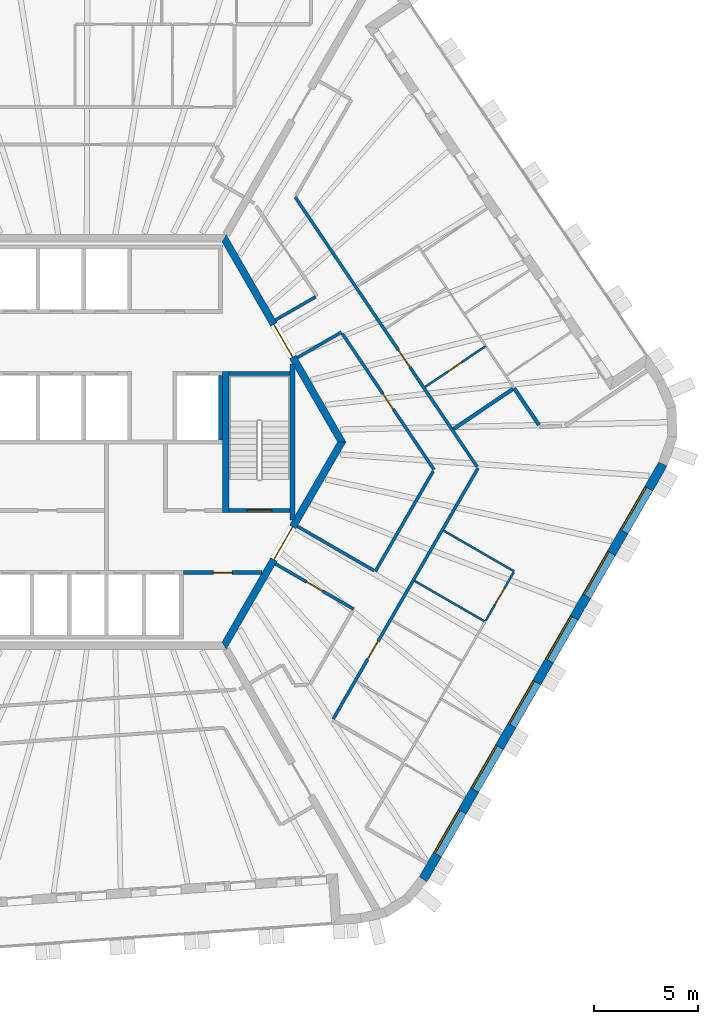
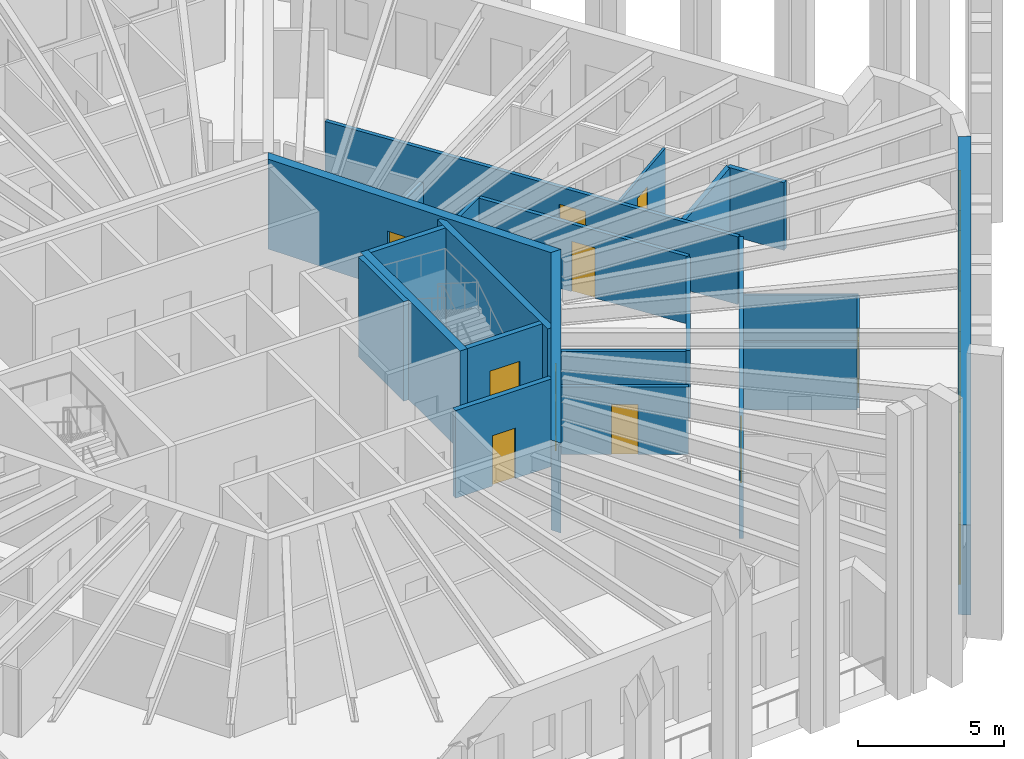
# One storey, part 6 of 12: 23 walls, 10 doors, 6 windows, 16 openings.
"""IFC4 building model written with IfcOpenShell, lengths in metres."""

from ifc_helpers import new_model, si_unit, direction, frame, frame_2d, origin, place, context, subcontext, project, spatial, polyline, rectangle, outline, extrude, material, layer, layer_set, type_object, element, fill, save


model = new_model("IFC4")

# Units and contexts
model_context = context("Model", 3, precision=1e-05, world=origin(), true_north=direction((0.0, 1.0)))
body_context = subcontext(model_context, "Body", "Model", "MODEL_VIEW")
ifc_project = project(units=[si_unit("LENGTHUNIT", "METRE"), si_unit("AREAUNIT", "SQUARE_METRE"), si_unit("VOLUMEUNIT", "CUBIC_METRE"), si_unit("PLANEANGLEUNIT", "RADIAN"), si_unit("MASSUNIT", "GRAM", prefix="KILO")], contexts=[model_context])

# Site, building, storey
site_placement = place(None, origin())
site = spatial("IfcSite", under=ifc_project, at=site_placement, CompositionType="ELEMENT")
building_placement = place(site_placement, origin())
building = spatial("IfcBuilding", under=site, at=building_placement, Name="Tarnside Tower", CompositionType="ELEMENT")
storey_placement = place(building_placement, frame((0.0, 0.0, 349.5)))
storey = spatial("IfcBuildingStorey", under=building, at=storey_placement, Name="L84", CompositionType="ELEMENT", Elevation=349.5)

# Wall
ifc_material_1 = material(Name="Gypsum board partition on steel studs", Category="steel")
ifc_layer_1 = layer(ifc_material_1, 0.10009765625)
ifc_layer_set_1 = layer_set([ifc_layer_1], Name="Bathroom wall 100")
wall_type_1 = type_object("IfcWallType", Name="Bathroom wall 100", PredefinedType="PARTITIONING", material=ifc_layer_set_1)
wall_1_placement = place(storey_placement, frame((18.2197265625, -8.642333984375, 0.0), z_axis=(0.0, 0.0, 1.0), x_axis=(-0.866016658288, 0.500015147339, 0.0)))
element("IfcWall", 1, at=wall_1_placement, inside=storey, type_object=wall_type_1, Name="Bathroom wall 27118", PredefinedType="PARTITIONING", context=body_context, shape_type="SweptSolid", body=[
    extrude(rectangle(XDim=3.875, YDim=0.10009765625, at=frame_2d((1.9375, 0.0))), origin(), (0.0, 0.0, 1.0), 2.820068359375),
])

# Wall, opening, door
wall_2_placement = place(storey_placement, frame((15.367431640625, 2.6552734375, 0.0), z_axis=(0.0, 0.0, 1.0), x_axis=(0.829033300448, 0.559199237078, 0.0)))
wall_2 = element("IfcWall", 2, at=wall_2_placement, inside=storey, type_object=wall_type_1, Name="Bathroom wall 27122", PredefinedType="PARTITIONING", context=body_context, shape_type="SweptSolid", body=[
    extrude(rectangle(XDim=3.525146484375, YDim=0.10009765625, at=frame_2d((1.7626953125, 0.0))), origin(), (0.0, 0.0, 1.0), 2.820068359375),
])
opening_1_placement = place(wall_2_placement, frame((1.324951171875, 0.0, 0.0)))
opening_1 = element("IfcOpeningElement", 3, at=opening_1_placement, cuts=wall_2, Name="Opening D-B1", PredefinedType="OPENING", context=body_context, shape_type="SweptSolid", body=[
    extrude(rectangle(XDim=0.800048828125, YDim=2.10009765625, at=frame_2d((0.39990234375, 1.050048828125))), frame((0.0, 0.06005859375, 0.0), z_axis=(0.0, -1.0, 0.0), x_axis=(1.0, 0.0, 0.0)), (0.0, 0.0, 1.0), 0.1201171875),
])
ifc_material_2 = material(Name="Timber door leaf", Category="wood")
door_type_1 = type_object("IfcDoorType", Name="Bathroom door 800", OperationType="NOTDEFINED", PredefinedType="DOOR", material=ifc_material_2)
door_1_placement = place(opening_1_placement, origin())
door_1 = element("IfcDoor", 4, at=door_1_placement, inside=storey, type_object=door_type_1, Name="Bathroom door 27045", OperationType="SINGLE_SWING_RIGHT", OverallHeight=2.10009765625, OverallWidth=0.800048828125, PredefinedType="DOOR", context=body_context, shape_type="SweptSolid", body=[
    extrude(rectangle(XDim=0.800048828125, YDim=2.10009765625, at=frame_2d((0.39990234375, 1.050048828125))), frame((0.0, 0.02490234375, 0.0), z_axis=(0.0, -1.0, 0.0), x_axis=(1.0, 0.0, 0.0)), (0.0, 0.0, 1.0), 0.050048828125),
])
fill(opening_1, door_1)

ifc_material_3 = material(Name="Concrete C40/50", Category="concrete")
ifc_layer_2 = layer(ifc_material_3, 0.199951171875)
ifc_layer_set_2 = layer_set([ifc_layer_2], Name="Core room partition 200 C40/50")
wall_type_2 = type_object("IfcWallType", Name="Core room partition 200 C40/50", PredefinedType="PARTITIONING", material=ifc_layer_set_2)
wall_3_placement = place(storey_placement, frame((3.699951171875, -6.300048828125, 0.0), z_axis=(0.0, 0.0, 1.0), x_axis=(1.0, 0.0, 0.0)))
wall_3 = element("IfcWall", 5, at=wall_3_placement, inside=storey, type_object=wall_type_2, Name="L84 core partition R4X", PredefinedType="PARTITIONING", context=body_context, shape_type="SweptSolid", body=[
    extrude(rectangle(XDim=3.8056640625, YDim=0.199951171875, at=frame_2d((1.90283203125, 0.0))), origin(), (0.0, 0.0, 1.0), 3.64990234375),
])
opening_2_placement = place(wall_3_placement, frame((1.452880859375, 0.0, 0.0)))
opening_2 = element("IfcOpeningElement", 6, at=opening_2_placement, cuts=wall_3, Name="Opening CD-room", PredefinedType="OPENING", context=body_context, shape_type="SweptSolid", body=[
    extrude(rectangle(XDim=0.89990234375, YDim=2.10009765625, at=frame_2d((0.449951171875, 1.050048828125))), frame((0.0, 0.10986328125, 0.0), z_axis=(0.0, -1.0, 0.0), x_axis=(1.0, 0.0, 0.0)), (0.0, 0.0, 1.0), 0.219970703125),
])
ifc_material_4 = material(Name="Steel fire door", Category="steel")
door_type_2 = type_object("IfcDoorType", Name="Room door FD60 900x2100", OperationType="NOTDEFINED", PredefinedType="DOOR", material=ifc_material_4)
door_2_placement = place(opening_2_placement, origin())
door_2 = element("IfcDoor", 7, at=door_2_placement, inside=storey, type_object=door_type_2, Name="L84 core room door RX", OperationType="SINGLE_SWING_LEFT", OverallHeight=2.10009765625, OverallWidth=0.89990234375, PredefinedType="DOOR", context=body_context, shape_type="SweptSolid", body=[
    extrude(rectangle(XDim=0.89990234375, YDim=2.10009765625, at=frame_2d((0.449951171875, 1.050048828125))), frame((0.0, 0.02490234375, 0.0), z_axis=(0.0, -1.0, 0.0), x_axis=(1.0, 0.0, 0.0)), (0.0, 0.0, 1.0), 0.050048828125),
])
fill(opening_2, door_2)

ifc_material_5 = material(Name="Concrete C50/60", Category="concrete")
ifc_layer_3 = layer(ifc_material_5, 0.35009765625)
ifc_layer_set_3 = layer_set([ifc_layer_3], Name="Core wall Z4 350 C50/60")
wall_type_3 = type_object("IfcWallType", Name="Core wall Z4 350 C50/60", PredefinedType="SHEAR", material=ifc_layer_set_3)
wall_4_placement = place(storey_placement, frame((5.672607421875, -9.824951171875, 0.0), z_axis=(0.0, 0.0, 1.0), x_axis=(0.499995046907, 0.866028263435, 0.0)))
wall_4 = element("IfcWall", 8, at=wall_4_placement, inside=storey, type_object=wall_type_3, Name="L84 core wall face 5", PredefinedType="SHEAR", context=body_context, shape_type="SweptSolid", body=[
    extrude(outline(polyline([(-0.10107421875, -0.175048828125), (11.44580078125, -0.175048828125), (11.24365234375, 0.175048828125), (0.10107421875, 0.175048828125), (-0.10107421875, -0.175048828125)])), origin(), (0.0, 0.0, 1.0), 3.75),
])
opening_3_placement = place(wall_4_placement, frame((4.80126953125, 0.0, 0.0)))
opening_3 = element("IfcOpeningElement", 9, at=opening_3_placement, cuts=wall_4, Name="Opening CD-FFL", PredefinedType="OPENING", context=body_context, shape_type="SweptSolid", body=[
    extrude(rectangle(XDim=1.800048828125, YDim=2.39990234375, at=frame_2d((0.89990234375, 1.199951171875))), frame((0.0, 0.18505859375, 0.0), z_axis=(0.0, -1.0, 0.0), x_axis=(1.0, 0.0, 0.0)), (0.0, 0.0, 1.0), 0.3701171875),
])
door_type_3 = type_object("IfcDoorType", Name="Firefighting lobby double door FD60S 1800x2400", OperationType="NOTDEFINED", PredefinedType="DOOR", material=ifc_material_4)
door_3_placement = place(opening_3_placement, origin())
door_3 = element("IfcDoor", 10, at=door_3_placement, inside=storey, type_object=door_type_3, Name="L84 core door P4", OperationType="DOUBLE_DOOR_SINGLE_SWING", OverallHeight=2.39990234375, OverallWidth=1.800048828125, PredefinedType="DOOR", context=body_context, shape_type="SweptSolid", body=[
    extrude(rectangle(XDim=1.800048828125, YDim=2.39990234375, at=frame_2d((0.89990234375, 1.199951171875))), frame((0.0, 0.02490234375, 0.0), z_axis=(0.0, -1.0, 0.0), x_axis=(1.0, 0.0, 0.0)), (0.0, 0.0, 1.0), 0.050048828125),
])
fill(opening_3, door_3)

wall_5_placement = place(storey_placement, frame((11.344970703125, 0.0, 0.0), z_axis=(0.0, 0.0, 1.0), x_axis=(-0.499995046907, 0.866028263435, 0.0)))
wall_5 = element("IfcWall", 11, at=wall_5_placement, inside=storey, type_object=wall_type_3, Name="L84 core wall face 6", PredefinedType="SHEAR", context=body_context, shape_type="SweptSolid", body=[
    extrude(outline(polyline([(-0.10107421875, -0.175048828125), (11.44580078125, -0.175048828125), (11.24365234375, 0.175048828125), (0.10107421875, 0.175048828125), (-0.10107421875, -0.175048828125)])), origin(), (0.0, 0.0, 1.0), 3.75),
])
opening_4_placement = place(wall_5_placement, frame((4.74365234375, 0.0, 0.0)))
opening_4 = element("IfcOpeningElement", 12, at=opening_4_placement, cuts=wall_5, Name="Opening CD-LOB", PredefinedType="OPENING", context=body_context, shape_type="SweptSolid", body=[
    extrude(rectangle(XDim=1.800048828125, YDim=2.39990234375, at=frame_2d((0.89990234375, 1.199951171875))), frame((0.0, 0.18505859375, 0.0), z_axis=(0.0, -1.0, 0.0), x_axis=(1.0, 0.0, 0.0)), (0.0, 0.0, 1.0), 0.3701171875),
])
door_type_4 = type_object("IfcDoorType", Name="Lobby double door FD30S 1800x2400", OperationType="NOTDEFINED", PredefinedType="DOOR", material=ifc_material_4)
door_4_placement = place(opening_4_placement, origin())
door_4 = element("IfcDoor", 13, at=door_4_placement, inside=storey, type_object=door_type_4, Name="L84 core door P2", OperationType="DOUBLE_DOOR_SINGLE_SWING", OverallHeight=2.39990234375, OverallWidth=1.800048828125, PredefinedType="DOOR", context=body_context, shape_type="SweptSolid", body=[
    extrude(rectangle(XDim=1.800048828125, YDim=2.39990234375, at=frame_2d((0.89990234375, 1.199951171875))), frame((0.0, 0.02490234375, 0.0), z_axis=(0.0, -1.0, 0.0), x_axis=(1.0, 0.0, 0.0)), (0.0, 0.0, 1.0), 0.050048828125),
])
fill(opening_4, door_4)

ifc_layer_4 = layer(ifc_material_1, 0.14990234375)
ifc_layer_set_4 = layer_set([ifc_layer_4], Name="Corridor wall 150 EI 60")
wall_type_4 = type_object("IfcWallType", Name="Corridor wall 150 EI 60", PredefinedType="PARTITIONING", material=ifc_layer_set_4)
wall_6_placement = place(storey_placement, frame((10.9365234375, -13.357421875, 0.0), z_axis=(0.0, 0.0, 1.0), x_axis=(0.499993317597, 0.866029261837, 0.0)))
wall_6 = element("IfcWall", 14, at=wall_6_placement, inside=storey, type_object=wall_type_4, Name="Corridor wall 27043", PredefinedType="PARTITIONING", context=body_context, shape_type="SweptSolid", body=[
    extrude(rectangle(XDim=13.966064453125, YDim=0.14990234375, at=frame_2d((6.98291015625, 0.0))), origin(), (0.0, 0.0, 1.0), 2.820068359375),
])
opening_5_placement = place(wall_6_placement, frame((3.324951171875, 0.0, 0.0)))
opening_5 = element("IfcOpeningElement", 15, at=opening_5_placement, cuts=wall_6, Name="Opening D-E1", PredefinedType="OPENING", context=body_context, shape_type="SweptSolid", body=[
    extrude(rectangle(XDim=1.0, YDim=2.10009765625, at=frame_2d((0.5, 1.050048828125))), frame((0.0, 0.0849609375, 0.0), z_axis=(0.0, -1.0, 0.0), x_axis=(1.0, 0.0, 0.0)), (0.0, 0.0, 1.0), 0.169921875),
])
door_type_5 = type_object("IfcDoorType", Name="Unit entrance door 1000 FD30S", OperationType="NOTDEFINED", PredefinedType="DOOR", material=ifc_material_2)
door_5_placement = place(opening_5_placement, origin())
door_5 = element("IfcDoor", 16, at=door_5_placement, inside=storey, type_object=door_type_5, Name="Unit door 27035", OperationType="SINGLE_SWING_LEFT", OverallHeight=2.10009765625, OverallWidth=1.0, PredefinedType="DOOR", context=body_context, shape_type="SweptSolid", body=[
    extrude(rectangle(XDim=1.0, YDim=2.10009765625, at=frame_2d((0.5, 1.050048828125))), frame((0.0, 0.02490234375, 0.0), z_axis=(0.0, -1.0, 0.0), x_axis=(1.0, 0.0, 0.0)), (0.0, 0.0, 1.0), 0.050048828125),
])
fill(opening_5, door_5)

wall_7_placement = place(storey_placement, frame((17.872802734375, -1.193359375, 0.0), z_axis=(0.0, 0.0, 1.0), x_axis=(-0.559195650252, 0.829035719821, 0.0)))
wall_7 = element("IfcWall", 17, at=wall_7_placement, inside=storey, type_object=wall_type_4, Name="Corridor wall 27044", PredefinedType="PARTITIONING", context=body_context, shape_type="SweptSolid", body=[
    extrude(rectangle(XDim=15.687744140625, YDim=0.14990234375, at=frame_2d((7.84375, 0.0))), origin(), (0.0, 0.0, 1.0), 2.820068359375),
])
opening_6_placement = place(wall_7_placement, frame((5.791748046875, 0.0, 0.0)))
opening_6 = element("IfcOpeningElement", 18, at=opening_6_placement, cuts=wall_7, Name="Opening D-E1", PredefinedType="OPENING", context=body_context, shape_type="SweptSolid", body=[
    extrude(rectangle(XDim=1.0, YDim=2.10009765625, at=frame_2d((0.5, 1.050048828125))), frame((0.0, 0.0849609375, 0.0), z_axis=(0.0, -1.0, 0.0), x_axis=(1.0, 0.0, 0.0)), (0.0, 0.0, 1.0), 0.169921875),
])
door_6_placement = place(opening_6_placement, origin())
door_6 = element("IfcDoor", 19, at=door_6_placement, inside=storey, type_object=door_type_5, Name="Unit door 27044", OperationType="SINGLE_SWING_LEFT", OverallHeight=2.10009765625, OverallWidth=1.0, PredefinedType="DOOR", context=body_context, shape_type="SweptSolid", body=[
    extrude(rectangle(XDim=1.0, YDim=2.10009765625, at=frame_2d((0.5, 1.050048828125))), frame((0.0, 0.02490234375, 0.0), z_axis=(0.0, -1.0, 0.0), x_axis=(1.0, 0.0, 0.0)), (0.0, 0.0, 1.0), 0.050048828125),
])
fill(opening_6, door_6)

# Wall
wall_8_placement = place(storey_placement, frame((9.19970703125, 4.065673828125, 0.0), z_axis=(0.0, 0.0, 1.0), x_axis=(0.866038240688, 0.499977765172, 0.0)))
element("IfcWall", 20, at=wall_8_placement, inside=storey, type_object=wall_type_4, Name="Corridor wall 27058", PredefinedType="PARTITIONING", context=body_context, shape_type="SweptSolid", body=[
    extrude(rectangle(XDim=2.45556640625, YDim=0.14990234375, at=frame_2d((1.227783203125, 0.0))), origin(), (0.0, 0.0, 1.0), 2.820068359375),
])

# Wall, opening, door
wall_9_placement = place(storey_placement, frame((11.368408203125, 5.231201171875, 0.0), z_axis=(0.0, 0.0, 1.0), x_axis=(0.55919388604, -0.829036909803, 0.0)))
wall_9 = element("IfcWall", 21, at=wall_9_placement, inside=storey, type_object=wall_type_4, Name="Corridor wall 27059", PredefinedType="PARTITIONING", context=body_context, shape_type="SweptSolid", body=[
    extrude(rectangle(XDim=7.921875, YDim=0.14990234375, at=frame_2d((3.9609375, 0.0))), origin(), (0.0, 0.0, 1.0), 2.820068359375),
])
opening_7_placement = place(wall_9_placement, frame((3.510986328125, 0.0, 0.0)))
opening_7 = element("IfcOpeningElement", 22, at=opening_7_placement, cuts=wall_9, Name="Opening D-S1", PredefinedType="OPENING", context=body_context, shape_type="SweptSolid", body=[
    extrude(rectangle(XDim=0.89990234375, YDim=2.10009765625, at=frame_2d((0.449951171875, 1.050048828125))), frame((0.0, 0.0849609375, 0.0), z_axis=(0.0, -1.0, 0.0), x_axis=(1.0, 0.0, 0.0)), (0.0, 0.0, 1.0), 0.169921875),
])
door_type_6 = type_object("IfcDoorType", Name="Service room door 900 FD30S", OperationType="NOTDEFINED", PredefinedType="DOOR", material=ifc_material_2)
door_7_placement = place(opening_7_placement, origin())
door_7 = element("IfcDoor", 23, at=door_7_placement, inside=storey, type_object=door_type_6, Name="Service door 27063", OperationType="SINGLE_SWING_RIGHT", OverallHeight=2.10009765625, OverallWidth=0.89990234375, PredefinedType="DOOR", context=body_context, shape_type="SweptSolid", body=[
    extrude(rectangle(XDim=0.89990234375, YDim=2.10009765625, at=frame_2d((0.449951171875, 1.050048828125))), frame((0.0, 0.02490234375, 0.0), z_axis=(0.0, -1.0, 0.0), x_axis=(1.0, 0.0, 0.0)), (0.0, 0.0, 1.0), 0.050048828125),
])
fill(opening_7, door_7)

# Walls
wall_10_placement = place(storey_placement, frame((15.756591796875, -1.40869140625, 0.0), z_axis=(0.0, 0.0, 1.0), x_axis=(-0.500002739321, -0.866023822231, 0.0)))
element("IfcWall", 24, at=wall_10_placement, inside=storey, type_object=wall_type_4, Name="Corridor wall 27060", PredefinedType="PARTITIONING", context=body_context, shape_type="SweptSolid", body=[
    extrude(rectangle(XDim=5.57958984375, YDim=0.14990234375, at=frame_2d((2.789794921875, 0.0))), origin(), (0.0, 0.0, 1.0), 2.820068359375),
])
wall_11_placement = place(storey_placement, frame((12.90185546875, -6.203125, 0.0), z_axis=(0.0, 0.0, 1.0), x_axis=(-0.866023907196, 0.500002592159, 0.0)))
element("IfcWall", 25, at=wall_11_placement, inside=storey, type_object=wall_type_4, Name="Corridor wall 27061", PredefinedType="PARTITIONING", context=body_context, shape_type="SweptSolid", body=[
    extrude(rectangle(XDim=4.27490234375, YDim=0.14990234375, at=frame_2d((2.137451171875, 0.0))), origin(), (0.0, 0.0, 1.0), 2.820068359375),
])

# Wall, opening, door
wall_12_placement = place(storey_placement, frame((8.149658203125, -5.88427734375, 0.0), z_axis=(0.0, 0.0, 1.0), x_axis=(0.866027639635, -0.499996127374, 0.0)))
wall_12 = element("IfcWall", 26, at=wall_12_placement, inside=storey, type_object=wall_type_4, Name="Corridor wall 27062", PredefinedType="PARTITIONING", context=body_context, shape_type="SweptSolid", body=[
    extrude(rectangle(XDim=4.35009765625, YDim=0.14990234375, at=frame_2d((2.175048828125, 0.0))), origin(), (0.0, 0.0, 1.0), 2.820068359375),
])
opening_8_placement = place(wall_12_placement, frame((1.72509765625, 0.0, 0.0)))
opening_8 = element("IfcOpeningElement", 27, at=opening_8_placement, cuts=wall_12, Name="Opening D-S1", PredefinedType="OPENING", context=body_context, shape_type="SweptSolid", body=[
    extrude(rectangle(XDim=0.89990234375, YDim=2.10009765625, at=frame_2d((0.449951171875, 1.050048828125))), frame((0.0, 0.0849609375, 0.0), z_axis=(0.0, -1.0, 0.0), x_axis=(1.0, 0.0, 0.0)), (0.0, 0.0, 1.0), 0.169921875),
])
door_8_placement = place(opening_8_placement, origin())
door_8 = element("IfcDoor", 28, at=door_8_placement, inside=storey, type_object=door_type_6, Name="Service door 27064", OperationType="SINGLE_SWING_LEFT", OverallHeight=2.10009765625, OverallWidth=0.89990234375, PredefinedType="DOOR", context=body_context, shape_type="SweptSolid", body=[
    extrude(rectangle(XDim=0.89990234375, YDim=2.10009765625, at=frame_2d((0.449951171875, 1.050048828125))), frame((0.0, 0.02490234375, 0.0), z_axis=(0.0, -1.0, 0.0), x_axis=(1.0, 0.0, 0.0)), (0.0, 0.0, 1.0), 0.050048828125),
])
fill(opening_8, door_8)

# Walls
wall_13_placement = place(storey_placement, frame((10.083984375, 7.001220703125, 0.0), z_axis=(0.0, 0.0, 1.0), x_axis=(-0.865994457699, -0.500053596362, 0.0)))
element("IfcWall", 29, at=wall_13_placement, inside=storey, type_object=wall_type_4, Name="Corridor wall 27069", PredefinedType="PARTITIONING", context=body_context, shape_type="SweptSolid", body=[
    extrude(rectangle(XDim=2.233642578125, YDim=0.14990234375, at=frame_2d((1.11669921875, 0.0))), origin(), (0.0, 0.0, 1.0), 2.820068359375),
])
ifc_layer_5 = layer(ifc_material_1, 0.179931640625)
ifc_layer_set_5 = layer_set([ifc_layer_5], Name="Demising wall 180 EI 60")
wall_type_5 = type_object("IfcWallType", Name="Demising wall 180 EI 60", PredefinedType="PARTITIONING", material=ifc_layer_set_5)
wall_14_placement = place(storey_placement, frame((19.65966796875, 2.595458984375, 0.0), z_axis=(0.0, 0.0, 1.0), x_axis=(-0.829033300448, -0.559199237078, 0.0)))
element("IfcWall", 30, at=wall_14_placement, inside=storey, type_object=wall_type_5, Name="Demising wall 27109", PredefinedType="PARTITIONING", context=body_context, shape_type="SweptSolid", body=[
    extrude(rectangle(XDim=3.525146484375, YDim=0.179931640625, at=frame_2d((1.7626953125, 0.0))), origin(), (0.0, 0.0, 1.0), 2.820068359375),
])
wall_15_placement = place(storey_placement, frame((20.8583984375, 0.818359375, 0.0), z_axis=(0.0, 0.0, 1.0), x_axis=(-0.55920528272, 0.829029222512, 0.0)))
element("IfcWall", 31, at=wall_15_placement, inside=storey, type_object=wall_type_5, Name="Demising wall 27112", PredefinedType="PARTITIONING", context=body_context, shape_type="SweptSolid", body=[
    extrude(rectangle(XDim=2.147216796875, YDim=0.179931640625, at=frame_2d((1.07373046875, 0.0))), origin(), (0.0, 0.0, 1.0), 2.820068359375),
])
ifc_layer_6 = layer(ifc_material_3, 0.199951171875)
ifc_layer_set_6 = layer_set([ifc_layer_6], Name="Lift shaft wall 200 C40/50")
wall_type_6 = type_object("IfcWallType", Name="Lift shaft wall 200 C40/50", PredefinedType="SHEAR", material=ifc_layer_set_6)
wall_16_placement = place(storey_placement, frame((5.5, 0.10009765625, -0.5), z_axis=(0.0, 0.0, 1.0), x_axis=(0.0, 1.0, 0.0)))
element("IfcWall", 32, at=wall_16_placement, inside=storey, type_object=wall_type_6, Name="L84 lift shaft partition R26", PredefinedType="SHEAR", context=body_context, shape_type="SweptSolid", body=[
    extrude(rectangle(XDim=3.099853515625, YDim=0.199951171875, at=frame_2d((1.5498046875, 0.0))), origin(), (0.0, 0.0, 1.0), 4.14990234375),
])
wall_17_placement = place(storey_placement, frame((5.89990234375, 3.300048828125, -0.5), z_axis=(0.0, 0.0, 1.0), x_axis=(1.0, 0.0, 0.0)))
element("IfcWall", 33, at=wall_17_placement, inside=storey, type_object=wall_type_6, Name="L84 stair 1 enclosure cap wall n", PredefinedType="SHEAR", context=body_context, shape_type="SweptSolid", body=[
    extrude(rectangle(XDim=2.9501953125, YDim=0.199951171875, at=frame_2d((1.47509765625, 0.0))), origin(), (0.0, 0.0, 1.0), 4.14990234375),
])

# Wall, opening, door
wall_18_placement = place(storey_placement, frame((5.89990234375, -3.300048828125, -0.5), z_axis=(0.0, 0.0, 1.0), x_axis=(1.0, 0.0, 0.0)))
wall_18 = element("IfcWall", 34, at=wall_18_placement, inside=storey, type_object=wall_type_6, Name="L84 stair 1 enclosure cap wall s", PredefinedType="SHEAR", context=body_context, shape_type="SweptSolid", body=[
    extrude(rectangle(XDim=2.9501953125, YDim=0.199951171875, at=frame_2d((1.47509765625, 0.0))), origin(), (0.0, 0.0, 1.0), 4.14990234375),
])
opening_9_placement = place(wall_18_placement, frame((0.875, 0.0, 0.5)))
opening_9 = element("IfcOpeningElement", 35, at=opening_9_placement, cuts=wall_18, Name="Opening CD-STR", PredefinedType="OPENING", context=body_context, shape_type="SweptSolid", body=[
    extrude(rectangle(XDim=1.199951171875, YDim=2.39990234375, at=frame_2d((0.60009765625, 1.199951171875))), frame((0.0, 0.10986328125, 0.0), z_axis=(0.0, -1.0, 0.0), x_axis=(1.0, 0.0, 0.0)), (0.0, 0.0, 1.0), 0.219970703125),
])
door_type_7 = type_object("IfcDoorType", Name="Stair door FD60S 1200x2400", OperationType="NOTDEFINED", PredefinedType="DOOR", material=ifc_material_4)
door_9_placement = place(opening_9_placement, origin())
door_9 = element("IfcDoor", 36, at=door_9_placement, inside=storey, type_object=door_type_7, Name="L84 stair 1 door", OperationType="SINGLE_SWING_LEFT", OverallHeight=2.39990234375, OverallWidth=1.199951171875, PredefinedType="DOOR", context=body_context, shape_type="SweptSolid", body=[
    extrude(rectangle(XDim=1.199951171875, YDim=2.39990234375, at=frame_2d((0.60009765625, 1.199951171875))), frame((0.0, 0.02490234375, 0.0), z_axis=(0.0, -1.0, 0.0), x_axis=(1.0, 0.0, 0.0)), (0.0, 0.0, 1.0), 0.050048828125),
])
fill(opening_9, door_9)

# Wall
ifc_layer_7 = layer(ifc_material_1, 0.10009765625)
ifc_layer_set_7 = layer_set([ifc_layer_7], Name="Partition 100")
wall_type_7 = type_object("IfcWallType", Name="Partition 100", PredefinedType="PARTITIONING", material=ifc_layer_set_7)
wall_19_placement = place(storey_placement, frame((16.263916015625, -4.280029296875, 0.0), z_axis=(0.0, 0.0, 1.0), x_axis=(0.866037464623, -0.499979109433, 0.0)))
element("IfcWall", 37, at=wall_19_placement, inside=storey, type_object=wall_type_7, Name="Partition wall 27107", PredefinedType="PARTITIONING", context=body_context, shape_type="SweptSolid", body=[
    extrude(rectangle(XDim=3.925048828125, YDim=0.10009765625, at=frame_2d((1.96240234375, 0.0))), origin(), (0.0, 0.0, 1.0), 2.820068359375),
])

# Wall, opening, door
wall_20_placement = place(storey_placement, frame((19.63818359375, -6.285888671875, 0.0), z_axis=(0.0, 0.0, 1.0), x_axis=(-0.500048589285, -0.86599734893, 0.0)))
wall_20 = element("IfcWall", 38, at=wall_20_placement, inside=storey, type_object=wall_type_7, Name="Partition wall 27108", PredefinedType="PARTITIONING", context=body_context, shape_type="SweptSolid", body=[
    extrude(rectangle(XDim=2.699951171875, YDim=0.10009765625, at=frame_2d((1.35009765625, 0.0))), origin(), (0.0, 0.0, 1.0), 2.820068359375),
])
opening_10_placement = place(wall_20_placement, frame((0.89990234375, 0.0, 0.0)))
opening_10 = element("IfcOpeningElement", 39, at=opening_10_placement, cuts=wall_20, Name="Opening D-I1", PredefinedType="OPENING", context=body_context, shape_type="SweptSolid", body=[
    extrude(rectangle(XDim=0.89990234375, YDim=2.10009765625, at=frame_2d((0.449951171875, 1.050048828125))), frame((0.0, 0.06005859375, 0.0), z_axis=(0.0, -1.0, 0.0), x_axis=(1.0, 0.0, 0.0)), (0.0, 0.0, 1.0), 0.1201171875),
])
door_type_8 = type_object("IfcDoorType", Name="Internal door 900", OperationType="NOTDEFINED", PredefinedType="DOOR", material=ifc_material_2)
door_10_placement = place(opening_10_placement, origin())
door_10 = element("IfcDoor", 40, at=door_10_placement, inside=storey, type_object=door_type_8, Name="Internal door 27043", OperationType="SINGLE_SWING_LEFT", OverallHeight=2.10009765625, OverallWidth=0.89990234375, PredefinedType="DOOR", context=body_context, shape_type="SweptSolid", body=[
    extrude(rectangle(XDim=0.89990234375, YDim=2.10009765625, at=frame_2d((0.449951171875, 1.050048828125))), frame((0.0, 0.02490234375, 0.0), z_axis=(0.0, -1.0, 0.0), x_axis=(1.0, 0.0, 0.0)), (0.0, 0.0, 1.0), 0.050048828125),
])
fill(opening_10, door_10)

# Walls
ifc_layer_8 = layer(ifc_material_3, 0.25)
ifc_layer_set_8 = layer_set([ifc_layer_8], Name="Stair enclosure wall 250 C40/50")
wall_type_8 = type_object("IfcWallType", Name="Stair enclosure wall 250 C40/50", PredefinedType="SHEAR", material=ifc_layer_set_8)
wall_21_placement = place(storey_placement, frame((8.97509765625, -3.7548828125, -0.5), z_axis=(0.0, 0.0, 1.0), x_axis=(0.0, 1.0, 0.0)))
element("IfcWall", 41, at=wall_21_placement, inside=storey, type_object=wall_type_8, Name="L84 stair 1 enclosure wall outer", PredefinedType="SHEAR", context=body_context, shape_type="SweptSolid", body=[
    extrude(rectangle(XDim=7.509765625, YDim=0.25, at=frame_2d((3.7548828125, 0.0))), origin(), (0.0, 0.0, 1.0), 4.14990234375),
])
ifc_layer_9 = layer(ifc_material_3, 0.300048828125)
ifc_layer_set_9 = layer_set([ifc_layer_9], Name="Stair enclosure wall 300 C40/50")
wall_type_9 = type_object("IfcWallType", Name="Stair enclosure wall 300 C40/50", PredefinedType="SHEAR", material=ifc_layer_set_9)
wall_22_placement = place(storey_placement, frame((5.75, -3.39990234375, -0.5), z_axis=(0.0, 0.0, 1.0), x_axis=(0.0, 1.0, 0.0)))
element("IfcWall", 42, at=wall_22_placement, inside=storey, type_object=wall_type_9, Name="L84 stair 1 enclosure wall inner", PredefinedType="SHEAR", context=body_context, shape_type="SweptSolid", body=[
    extrude(rectangle(XDim=6.7998046875, YDim=0.300048828125, at=frame_2d((3.39990234375, 0.0))), origin(), (0.0, 0.0, 1.0), 4.14990234375),
])

# Wall, openings, windows
ifc_material_6 = material(Name="Facing brick", Category="masonry")
ifc_layer_10 = layer(ifc_material_6, 0.10205078125)
ifc_material_7 = material(Name="Concrete C60/75 precast", Category="concrete")
ifc_layer_11 = layer(ifc_material_7, 0.248046875)
ifc_material_8 = material(Name="Mineral wool insulation")
ifc_layer_12 = layer(ifc_material_8, 0.10009765625)
ifc_layer_set_10 = layer_set([ifc_layer_10, ifc_layer_11, ifc_layer_12], Name="Tube wall 450 brick faced")
wall_type_10 = type_object("IfcWallType", Name="Tube wall 450 brick faced", PredefinedType="SOLIDWALL", material=ifc_layer_set_10)
wall_23_placement = place(storey_placement, frame((15.272705078125, -21.096923828125, 0.0), z_axis=(0.0, 0.0, 1.0), x_axis=(0.499997453958, 0.866026873738, 0.0)))
wall_23 = element("IfcWall", 43, at=wall_23_placement, inside=storey, type_object=wall_type_10, Name="Tube wall L84 F5 flush 24", PredefinedType="SOLIDWALL", context=body_context, shape_type="SweptSolid", body=[
    extrude(outline(polyline([(-0.018310546875, -0.22509765625), (23.15234375, -0.22509765625), (23.1103515625, 0.22509765625), (0.018310546875, 0.22509765625), (-0.018310546875, -0.22509765625)])), origin(), (0.0, 0.0, 1.0), 3.75),
])
opening_11_placement = place(wall_23_placement, frame((1.36572265625, 0.0, 0.300048828125)))
opening_11 = element("IfcOpeningElement", 44, at=opening_11_placement, cuts=wall_23, Name="Opening WP", PredefinedType="OPENING", context=body_context, shape_type="SweptSolid", body=[
    extrude(rectangle(XDim=2.39990234375, YDim=3.0, at=frame_2d((1.199951171875, 1.5))), frame((0.0, 0.23486328125, 0.0), z_axis=(0.0, -1.0, 0.0), x_axis=(1.0, 0.0, 0.0)), (0.0, 0.0, 1.0), 0.469970703125),
])
opening_12_placement = place(wall_23_placement, frame((4.9658203125, 0.0, 0.300048828125)))
opening_12 = element("IfcOpeningElement", 45, at=opening_12_placement, cuts=wall_23, Name="Opening WP", PredefinedType="OPENING", context=body_context, shape_type="SweptSolid", body=[
    extrude(rectangle(XDim=2.39990234375, YDim=3.0, at=frame_2d((1.199951171875, 1.5))), frame((0.0, 0.23486328125, 0.0), z_axis=(0.0, -1.0, 0.0), x_axis=(1.0, 0.0, 0.0)), (0.0, 0.0, 1.0), 0.469970703125),
])
opening_13_placement = place(wall_23_placement, frame((8.56591796875, 0.0, 0.300048828125)))
opening_13 = element("IfcOpeningElement", 46, at=opening_13_placement, cuts=wall_23, Name="Opening WP", PredefinedType="OPENING", context=body_context, shape_type="SweptSolid", body=[
    extrude(rectangle(XDim=2.39990234375, YDim=3.0, at=frame_2d((1.199951171875, 1.5))), frame((0.0, 0.23486328125, 0.0), z_axis=(0.0, -1.0, 0.0), x_axis=(1.0, 0.0, 0.0)), (0.0, 0.0, 1.0), 0.469970703125),
])
opening_14_placement = place(wall_23_placement, frame((12.165771484375, 0.0, 0.300048828125)))
opening_14 = element("IfcOpeningElement", 47, at=opening_14_placement, cuts=wall_23, Name="Opening WP", PredefinedType="OPENING", context=body_context, shape_type="SweptSolid", body=[
    extrude(rectangle(XDim=2.39990234375, YDim=3.0, at=frame_2d((1.199951171875, 1.5))), frame((0.0, 0.23486328125, 0.0), z_axis=(0.0, -1.0, 0.0), x_axis=(1.0, 0.0, 0.0)), (0.0, 0.0, 1.0), 0.469970703125),
])
opening_15_placement = place(wall_23_placement, frame((15.765869140625, 0.0, 0.300048828125)))
opening_15 = element("IfcOpeningElement", 48, at=opening_15_placement, cuts=wall_23, Name="Opening WP", PredefinedType="OPENING", context=body_context, shape_type="SweptSolid", body=[
    extrude(rectangle(XDim=2.39990234375, YDim=3.0, at=frame_2d((1.199951171875, 1.5))), frame((0.0, 0.23486328125, 0.0), z_axis=(0.0, -1.0, 0.0), x_axis=(1.0, 0.0, 0.0)), (0.0, 0.0, 1.0), 0.469970703125),
])
opening_16_placement = place(wall_23_placement, frame((19.36572265625, 0.0, 0.300048828125)))
opening_16 = element("IfcOpeningElement", 49, at=opening_16_placement, cuts=wall_23, Name="Opening WP", PredefinedType="OPENING", context=body_context, shape_type="SweptSolid", body=[
    extrude(rectangle(XDim=2.39990234375, YDim=3.0, at=frame_2d((1.199951171875, 1.5))), frame((0.0, 0.23486328125, 0.0), z_axis=(0.0, -1.0, 0.0), x_axis=(1.0, 0.0, 0.0)), (0.0, 0.0, 1.0), 0.469970703125),
])
ifc_material_9 = material(Name="Aluminium-framed double glazing", Category="aluminium")
window_type = type_object("IfcWindowType", Name="Penthouse window 2400 x 3000", PartitioningType="DOUBLE_PANEL_VERTICAL", PredefinedType="WINDOW", material=ifc_material_9)
window_1_placement = place(opening_11_placement, frame((0.0, 0.1552734375, 0.0)))
window_1 = element("IfcWindow", 50, at=window_1_placement, inside=storey, type_object=window_type, Name="E.WN.L84.F5.00", OverallHeight=3.0, OverallWidth=2.39990234375, PartitioningType="DOUBLE_PANEL_VERTICAL", PredefinedType="WINDOW", context=body_context, shape_type="SweptSolid", body=[
    extrude(rectangle(XDim=2.39990234375, YDim=3.0, at=frame_2d((1.199951171875, 1.5))), frame((0.0, 0.030029296875, 0.0), z_axis=(0.0, -1.0, 0.0), x_axis=(1.0, 0.0, 0.0)), (0.0, 0.0, 1.0), 0.06005859375),
])
fill(opening_11, window_1)
window_2_placement = place(opening_12_placement, frame((0.0, 0.1552734375, 0.0)))
window_2 = element("IfcWindow", 51, at=window_2_placement, inside=storey, type_object=window_type, Name="E.WN.L84.F5.01", OverallHeight=3.0, OverallWidth=2.39990234375, PartitioningType="DOUBLE_PANEL_VERTICAL", PredefinedType="WINDOW", context=body_context, shape_type="SweptSolid", body=[
    extrude(rectangle(XDim=2.39990234375, YDim=3.0, at=frame_2d((1.199951171875, 1.5))), frame((0.0, 0.030029296875, 0.0), z_axis=(0.0, -1.0, 0.0), x_axis=(1.0, 0.0, 0.0)), (0.0, 0.0, 1.0), 0.06005859375),
])
fill(opening_12, window_2)
window_3_placement = place(opening_13_placement, frame((0.0, 0.1552734375, 0.0)))
window_3 = element("IfcWindow", 52, at=window_3_placement, inside=storey, type_object=window_type, Name="E.WN.L84.F5.02", OverallHeight=3.0, OverallWidth=2.39990234375, PartitioningType="DOUBLE_PANEL_VERTICAL", PredefinedType="WINDOW", context=body_context, shape_type="SweptSolid", body=[
    extrude(rectangle(XDim=2.39990234375, YDim=3.0, at=frame_2d((1.199951171875, 1.5))), frame((0.0, 0.030029296875, 0.0), z_axis=(0.0, -1.0, 0.0), x_axis=(1.0, 0.0, 0.0)), (0.0, 0.0, 1.0), 0.06005859375),
])
fill(opening_13, window_3)
window_4_placement = place(opening_14_placement, frame((0.0, 0.1552734375, 0.0)))
window_4 = element("IfcWindow", 53, at=window_4_placement, inside=storey, type_object=window_type, Name="E.WN.L84.F5.03", OverallHeight=3.0, OverallWidth=2.39990234375, PartitioningType="DOUBLE_PANEL_VERTICAL", PredefinedType="WINDOW", context=body_context, shape_type="SweptSolid", body=[
    extrude(rectangle(XDim=2.39990234375, YDim=3.0, at=frame_2d((1.199951171875, 1.5))), frame((0.0, 0.030029296875, 0.0), z_axis=(0.0, -1.0, 0.0), x_axis=(1.0, 0.0, 0.0)), (0.0, 0.0, 1.0), 0.06005859375),
])
fill(opening_14, window_4)
window_5_placement = place(opening_15_placement, frame((0.0, 0.1552734375, 0.0)))
window_5 = element("IfcWindow", 54, at=window_5_placement, inside=storey, type_object=window_type, Name="E.WN.L84.F5.04", OverallHeight=3.0, OverallWidth=2.39990234375, PartitioningType="DOUBLE_PANEL_VERTICAL", PredefinedType="WINDOW", context=body_context, shape_type="SweptSolid", body=[
    extrude(rectangle(XDim=2.39990234375, YDim=3.0, at=frame_2d((1.199951171875, 1.5))), frame((0.0, 0.030029296875, 0.0), z_axis=(0.0, -1.0, 0.0), x_axis=(1.0, 0.0, 0.0)), (0.0, 0.0, 1.0), 0.06005859375),
])
fill(opening_15, window_5)
window_6_placement = place(opening_16_placement, frame((0.0, 0.1552734375, 0.0)))
window_6 = element("IfcWindow", 55, at=window_6_placement, inside=storey, type_object=window_type, Name="E.WN.L84.F5.05", OverallHeight=3.0, OverallWidth=2.39990234375, PartitioningType="DOUBLE_PANEL_VERTICAL", PredefinedType="WINDOW", context=body_context, shape_type="SweptSolid", body=[
    extrude(rectangle(XDim=2.39990234375, YDim=3.0, at=frame_2d((1.199951171875, 1.5))), frame((0.0, 0.030029296875, 0.0), z_axis=(0.0, -1.0, 0.0), x_axis=(1.0, 0.0, 0.0)), (0.0, 0.0, 1.0), 0.06005859375),
])
fill(opening_16, window_6)

save(model, "model.ifc")
